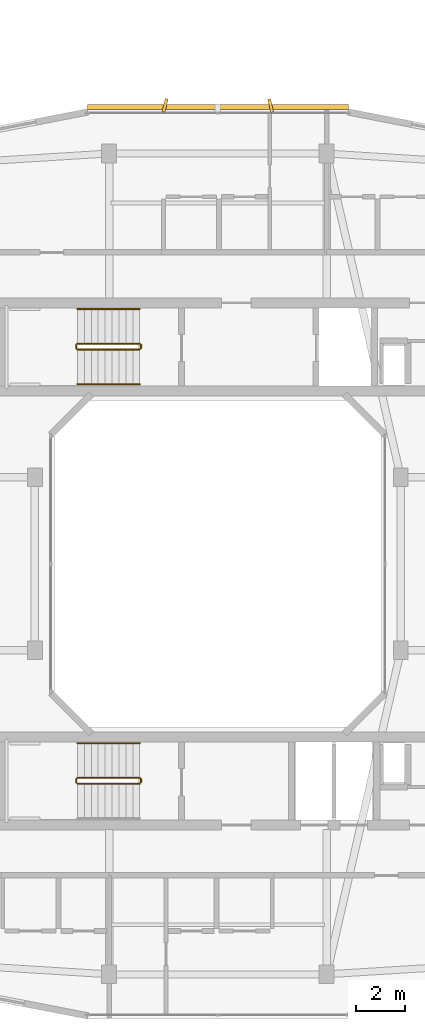
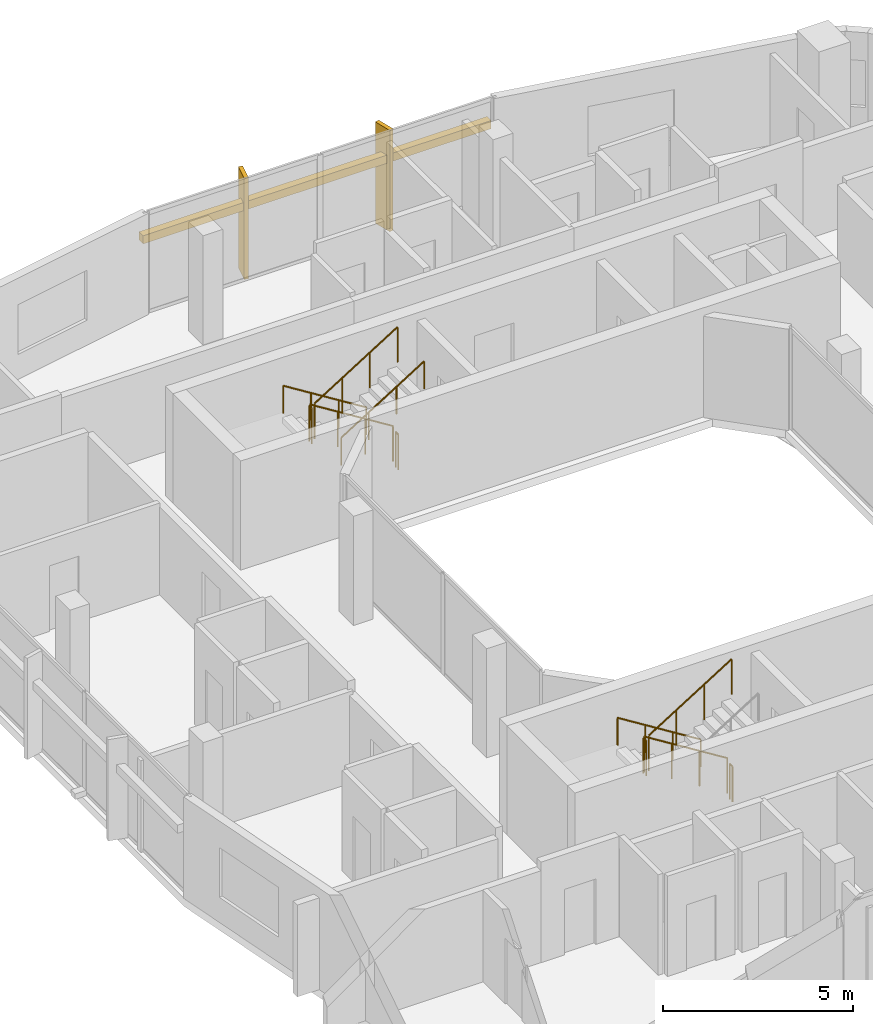
# One storey, part 26 of 26: 11 railings, 3 shading devices.
"""IFC4 building model written with IfcOpenShell, lengths in metres."""

from ifc_helpers import new_model, si_unit, derived_unit, direction, frame, origin, origin_2d, place, context, subcontext, project, spatial, rectangle, circle, extrude, material, type_object, element, save


model = new_model("IFC4")

# Units and contexts
model_context = context("Model", 3, precision=1e-05, world=origin(), true_north=direction((0.0, 1.0)))
body_context = subcontext(model_context, "Body", "Model", "MODEL_VIEW")
ifc_project = project(units=[si_unit("LENGTHUNIT", "METRE"), si_unit("AREAUNIT", "SQUARE_METRE"), si_unit("VOLUMEUNIT", "CUBIC_METRE"), si_unit("PLANEANGLEUNIT", "RADIAN"), si_unit("MASSUNIT", "GRAM", prefix="KILO"), derived_unit("THERMALTRANSMITTANCEUNIT", [(si_unit("POWERUNIT", "WATT"), 1), (si_unit("LENGTHUNIT", "METRE"), -2), (si_unit("THERMODYNAMICTEMPERATUREUNIT", "KELVIN"), -1)])], contexts=[model_context])

# Site, building, storey
site_placement = place(None, origin())
site = spatial("IfcSite", under=ifc_project, at=site_placement, CompositionType="ELEMENT")
building_placement = place(site_placement, origin())
building = spatial("IfcBuilding", under=site, at=building_placement, Name="Kivonza Crest Hotel", CompositionType="ELEMENT")
storey_placement = place(building_placement, frame((0.0, 0.0, 95.0)))
storey = spatial("IfcBuildingStorey", under=building, at=storey_placement, Name="L25", CompositionType="ELEMENT", Elevation=95.0)

# Railings
ifc_material_1 = material(Name="Brushed stainless steel handrail", Category="steel")
railing_type_1 = type_object("IfcRailingType", Name="RL-HAND-900", PredefinedType="HANDRAIL", material=ifc_material_1)
railing_1_placement = place(storey_placement, frame((73.840087890625, 35.31005859375, 0.175048828125)))
element("IfcRailing", 1, at=railing_1_placement, inside=storey, type_object=railing_type_1, Name="L25 ST-T2-N stair handrail 1", PredefinedType="HANDRAIL", context=body_context, shape_type="SweptSolid", body=[
    extrude(circle(Radius=0.02392578125, at=origin_2d()), frame((0.0, 0.0, 0.8759765625), z_axis=(-0.848007534815, 0.0, 0.529984170421), x_axis=(0.0, -1.0, 0.0)), (0.0, 0.0, 1.0), 2.9716796875),
    extrude(circle(Radius=0.02099609375, at=origin_2d()), origin(), (0.0, 0.0, 1.0), 0.851806640625),
    extrude(circle(Radius=0.02099609375, at=origin_2d()), frame((-0.840087890625, 0.0, 0.52490234375)), (0.0, 0.0, 1.0), 0.851806640625),
    extrude(circle(Radius=0.02099609375, at=origin_2d()), frame((-1.679931640625, 0.0, 1.050048828125)), (0.0, 0.0, 1.0), 0.851806640625),
    extrude(circle(Radius=0.02099609375, at=origin_2d()), frame((-2.52001953125, 0.0, 1.574951171875)), (0.0, 0.0, 1.0), 0.851806640625),
])
railing_2_placement = place(storey_placement, frame((71.320068359375, 32.27001953125, 1.925048828125)))
element("IfcRailing", 2, at=railing_2_placement, inside=storey, type_object=railing_type_1, Name="L25 ST-T2-N stair handrail 2", PredefinedType="HANDRAIL", context=body_context, shape_type="SweptSolid", body=[
    extrude(circle(Radius=0.02392578125, at=origin_2d()), frame((0.0, 0.0, 0.8759765625), z_axis=(0.848007534815, 0.0, 0.529984170421), x_axis=(0.0, 1.0, 0.0)), (0.0, 0.0, 1.0), 2.9716796875),
    extrude(circle(Radius=0.02099609375, at=origin_2d()), origin(), (0.0, 0.0, 1.0), 0.851806640625),
    extrude(circle(Radius=0.02099609375, at=origin_2d()), frame((0.840087890625, 0.0, 0.52490234375)), (0.0, 0.0, 1.0), 0.851806640625),
    extrude(circle(Radius=0.02099609375, at=origin_2d()), frame((1.679931640625, 0.0, 1.050048828125)), (0.0, 0.0, 1.0), 0.851806640625),
    extrude(circle(Radius=0.02099609375, at=origin_2d()), frame((2.52001953125, 0.0, 1.574951171875)), (0.0, 0.0, 1.0), 0.851806640625),
])
railing_3_placement = place(storey_placement, frame((73.840087890625, 17.75, 0.175048828125)))
element("IfcRailing", 3, at=railing_3_placement, inside=storey, type_object=railing_type_1, Name="L25 ST-T2-S stair handrail 1", PredefinedType="HANDRAIL", context=body_context, shape_type="SweptSolid", body=[
    extrude(circle(Radius=0.02392578125, at=origin_2d()), frame((0.0, 0.0, 0.8759765625), z_axis=(-0.848007534815, 0.0, 0.529984170421), x_axis=(0.0, -1.0, 0.0)), (0.0, 0.0, 1.0), 2.9716796875),
    extrude(circle(Radius=0.02099609375, at=origin_2d()), origin(), (0.0, 0.0, 1.0), 0.851806640625),
    extrude(circle(Radius=0.02099609375, at=origin_2d()), frame((-0.840087890625, 0.0, 0.52490234375)), (0.0, 0.0, 1.0), 0.851806640625),
    extrude(circle(Radius=0.02099609375, at=origin_2d()), frame((-1.679931640625, 0.0, 1.050048828125)), (0.0, 0.0, 1.0), 0.851806640625),
    extrude(circle(Radius=0.02099609375, at=origin_2d()), frame((-2.52001953125, 0.0, 1.574951171875)), (0.0, 0.0, 1.0), 0.851806640625),
])
ifc_material_2 = material(Name="Painted steel balustrade", Category="steel")
railing_type_2 = type_object("IfcRailingType", Name="RL-STAIR-1150", PredefinedType="BALUSTRADE", material=ifc_material_2)
railing_4_placement = place(storey_placement, frame((73.840087890625, 33.909912109375, 0.175048828125)))
element("IfcRailing", 4, at=railing_4_placement, inside=storey, type_object=railing_type_2, Name="L25 ST-T2-N stair guard 1", PredefinedType="BALUSTRADE", context=body_context, shape_type="SweptSolid", body=[
    extrude(circle(Radius=0.02392578125, at=origin_2d()), frame((0.0, 0.0, 1.1259765625), z_axis=(-0.848007534815, 0.0, 0.529984170421), x_axis=(0.0, -1.0, 0.0)), (0.0, 0.0, 1.0), 2.9716796875),
    extrude(circle(Radius=0.02099609375, at=origin_2d()), origin(), (0.0, 0.0, 1.0), 1.101806640625),
    extrude(circle(Radius=0.02099609375, at=origin_2d()), frame((-0.840087890625, 0.0, 0.52490234375)), (0.0, 0.0, 1.0), 1.101806640625),
    extrude(circle(Radius=0.02099609375, at=origin_2d()), frame((-1.679931640625, 0.0, 1.050048828125)), (0.0, 0.0, 1.0), 1.101806640625),
    extrude(circle(Radius=0.02099609375, at=origin_2d()), frame((-2.52001953125, 0.0, 1.574951171875)), (0.0, 0.0, 1.0), 1.101806640625),
])
railing_5_placement = place(storey_placement, frame((71.27001953125, 33.860107421875, 1.75)))
element("IfcRailing", 5, at=railing_5_placement, inside=storey, type_object=railing_type_2, Name="L25 ST-T2-N stair guard 2", PredefinedType="BALUSTRADE", context=body_context, shape_type="SweptSolid", body=[
    extrude(circle(Radius=0.02392578125, at=origin_2d()), frame((0.0, 0.0, 1.1259765625), z_axis=(0.0, -1.0, 0.0), x_axis=(1.0, 0.0, 0.0)), (0.0, 0.0, 1.0), 0.14013671875),
    extrude(circle(Radius=0.02099609375, at=origin_2d()), origin(), (0.0, 0.0, 1.0), 1.101806640625),
    extrude(circle(Radius=0.02099609375, at=origin_2d()), frame((0.0, -0.14013671875, 0.0)), (0.0, 0.0, 1.0), 1.101806640625),
])
railing_6_placement = place(storey_placement, frame((71.320068359375, 33.669921875, 1.925048828125)))
element("IfcRailing", 6, at=railing_6_placement, inside=storey, type_object=railing_type_2, Name="L25 ST-T2-N stair guard 3", PredefinedType="BALUSTRADE", context=body_context, shape_type="SweptSolid", body=[
    extrude(circle(Radius=0.02392578125, at=origin_2d()), frame((0.0, 0.0, 1.1259765625), z_axis=(0.848007534815, 0.0, 0.529984170421), x_axis=(0.0, 1.0, 0.0)), (0.0, 0.0, 1.0), 2.9716796875),
    extrude(circle(Radius=0.02099609375, at=origin_2d()), origin(), (0.0, 0.0, 1.0), 1.101806640625),
    extrude(circle(Radius=0.02099609375, at=origin_2d()), frame((0.840087890625, 0.0, 0.52490234375)), (0.0, 0.0, 1.0), 1.101806640625),
    extrude(circle(Radius=0.02099609375, at=origin_2d()), frame((1.679931640625, 0.0, 1.050048828125)), (0.0, 0.0, 1.0), 1.101806640625),
    extrude(circle(Radius=0.02099609375, at=origin_2d()), frame((2.52001953125, 0.0, 1.574951171875)), (0.0, 0.0, 1.0), 1.101806640625),
])
railing_7_placement = place(storey_placement, frame((73.889892578125, 33.860107421875, 0.0)))
element("IfcRailing", 7, at=railing_7_placement, inside=storey, type_object=railing_type_2, Name="L25 ST-T2-N stair guard 4", PredefinedType="BALUSTRADE", context=body_context, shape_type="SweptSolid", body=[
    extrude(circle(Radius=0.02392578125, at=origin_2d()), frame((0.0, 0.0, 1.1259765625), z_axis=(0.0, -1.0, 0.0), x_axis=(1.0, 0.0, 0.0)), (0.0, 0.0, 1.0), 0.14013671875),
    extrude(circle(Radius=0.02099609375, at=origin_2d()), origin(), (0.0, 0.0, 1.0), 1.101806640625),
    extrude(circle(Radius=0.02099609375, at=origin_2d()), frame((0.0, -0.14013671875, 0.0)), (0.0, 0.0, 1.0), 1.101806640625),
])
railing_8_placement = place(storey_placement, frame((73.840087890625, 16.35009765625, 0.175048828125)))
element("IfcRailing", 8, at=railing_8_placement, inside=storey, type_object=railing_type_2, Name="L25 ST-T2-S stair guard 1", PredefinedType="BALUSTRADE", context=body_context, shape_type="SweptSolid", body=[
    extrude(circle(Radius=0.02392578125, at=origin_2d()), frame((0.0, 0.0, 1.1259765625), z_axis=(-0.848007534815, 0.0, 0.529984170421), x_axis=(0.0, -1.0, 0.0)), (0.0, 0.0, 1.0), 2.9716796875),
    extrude(circle(Radius=0.02099609375, at=origin_2d()), origin(), (0.0, 0.0, 1.0), 1.101806640625),
    extrude(circle(Radius=0.02099609375, at=origin_2d()), frame((-0.840087890625, 0.0, 0.52490234375)), (0.0, 0.0, 1.0), 1.101806640625),
    extrude(circle(Radius=0.02099609375, at=origin_2d()), frame((-1.679931640625, 0.0, 1.050048828125)), (0.0, 0.0, 1.0), 1.101806640625),
    extrude(circle(Radius=0.02099609375, at=origin_2d()), frame((-2.52001953125, 0.0, 1.574951171875)), (0.0, 0.0, 1.0), 1.101806640625),
])
railing_9_placement = place(storey_placement, frame((71.27001953125, 16.300048828125, 1.75)))
element("IfcRailing", 9, at=railing_9_placement, inside=storey, type_object=railing_type_2, Name="L25 ST-T2-S stair guard 2", PredefinedType="BALUSTRADE", context=body_context, shape_type="SweptSolid", body=[
    extrude(circle(Radius=0.02392578125, at=origin_2d()), frame((0.0, 0.0, 1.1259765625), z_axis=(0.0, -1.0, 0.0), x_axis=(1.0, 0.0, 0.0)), (0.0, 0.0, 1.0), 0.14013671875),
    extrude(circle(Radius=0.02099609375, at=origin_2d()), origin(), (0.0, 0.0, 1.0), 1.101806640625),
    extrude(circle(Radius=0.02099609375, at=origin_2d()), frame((0.0, -0.14013671875, 0.0)), (0.0, 0.0, 1.0), 1.101806640625),
])
railing_10_placement = place(storey_placement, frame((71.320068359375, 16.110107421875, 1.925048828125)))
element("IfcRailing", 10, at=railing_10_placement, inside=storey, type_object=railing_type_2, Name="L25 ST-T2-S stair guard 3", PredefinedType="BALUSTRADE", context=body_context, shape_type="SweptSolid", body=[
    extrude(circle(Radius=0.02392578125, at=origin_2d()), frame((0.0, 0.0, 1.1259765625), z_axis=(0.848007534815, 0.0, 0.529984170421), x_axis=(0.0, 1.0, 0.0)), (0.0, 0.0, 1.0), 2.9716796875),
    extrude(circle(Radius=0.02099609375, at=origin_2d()), origin(), (0.0, 0.0, 1.0), 1.101806640625),
    extrude(circle(Radius=0.02099609375, at=origin_2d()), frame((0.840087890625, 0.0, 0.52490234375)), (0.0, 0.0, 1.0), 1.101806640625),
    extrude(circle(Radius=0.02099609375, at=origin_2d()), frame((1.679931640625, 0.0, 1.050048828125)), (0.0, 0.0, 1.0), 1.101806640625),
    extrude(circle(Radius=0.02099609375, at=origin_2d()), frame((2.52001953125, 0.0, 1.574951171875)), (0.0, 0.0, 1.0), 1.101806640625),
])
railing_11_placement = place(storey_placement, frame((73.889892578125, 16.300048828125, 0.0)))
element("IfcRailing", 11, at=railing_11_placement, inside=storey, type_object=railing_type_2, Name="L25 ST-T2-S stair guard 4", PredefinedType="BALUSTRADE", context=body_context, shape_type="SweptSolid", body=[
    extrude(circle(Radius=0.02392578125, at=origin_2d()), frame((0.0, 0.0, 1.1259765625), z_axis=(0.0, -1.0, 0.0), x_axis=(1.0, 0.0, 0.0)), (0.0, 0.0, 1.0), 0.14013671875),
    extrude(circle(Radius=0.02099609375, at=origin_2d()), origin(), (0.0, 0.0, 1.0), 1.101806640625),
    extrude(circle(Radius=0.02099609375, at=origin_2d()), frame((0.0, -0.14013671875, 0.0)), (0.0, 0.0, 1.0), 1.101806640625),
])

# Shading devices
ifc_material_3 = material(Name="Kiln-fired Nairobi red-ochre terracotta", Category="masonry")
shading_device_type_1 = type_object("IfcShadingDeviceType", Name="SH-BAGUETTE-300", PredefinedType="USERDEFINED", material=ifc_material_3)
shading_device_placement = place(storey_placement, frame((77.0, 43.47998046875, 2.14501953125), z_axis=(0.0, 0.0, 1.0), x_axis=(-1.0, 0.0, 0.0)))
element("IfcShadingDevice", 12, at=shading_device_placement, inside=storey, type_object=shading_device_type_1, Name="L25 terracotta baguette screen CW-T2-L25-26", ObjectType="BAGUETTE", PredefinedType="USERDEFINED", context=body_context, shape_type="SweptSolid", body=[
    extrude(rectangle(XDim=10.56005859375, YDim=0.219970703125, at=origin_2d()), origin(), (0.0, 0.0, 1.0), 0.260009765625),
])
ifc_material_4 = material(Name="Kiln-fired terracotta over extruded aluminium spine", Category="masonry")
shading_device_type_2 = type_object("IfcShadingDeviceType", Name="SH-FIN-550", PredefinedType="USERDEFINED", material=ifc_material_4)
for number, where, z_axis, x_axis, name in (
    (13, (79.135986328125, 43.5400390625, 0.0), (0.0, 0.0, 1.0), (-0.970295726276, -0.2419218956, 0.0), "L25 vertical solar shading fin CW-T2-L25-26-1"),
    (14, (74.864013671875, 43.5400390625, 0.0), (0.0, 0.0, 1.0), (-0.970295726276, 0.2419218956, 0.0), "L25 vertical solar shading fin CW-T2-L25-26-2"),
):
    element("IfcShadingDevice", number, at=place(storey_placement, frame(where, z_axis=z_axis, x_axis=x_axis)), inside=storey, type_object=shading_device_type_2, Name=name, ObjectType="FIN", PredefinedType="USERDEFINED", context=body_context, shape_type="SweptSolid", body=[
        extrude(rectangle(XDim=0.1201171875, YDim=0.550048828125, at=origin_2d()), origin(), (0.0, 0.0, 1.0), 3.25),
    ])

save(model, "model.ifc")
